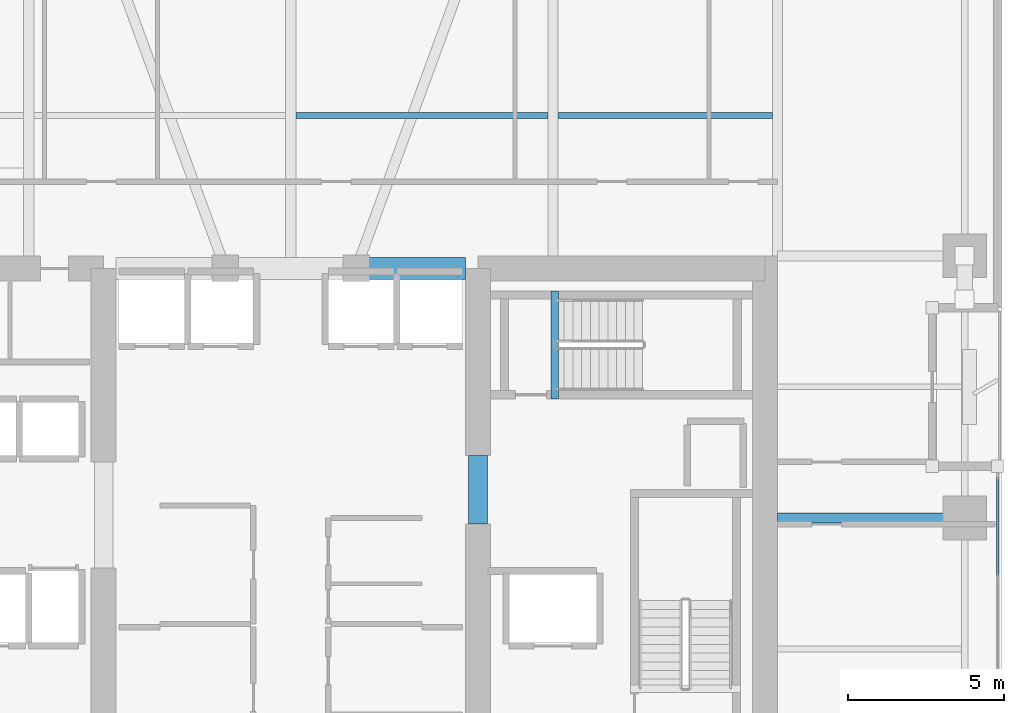
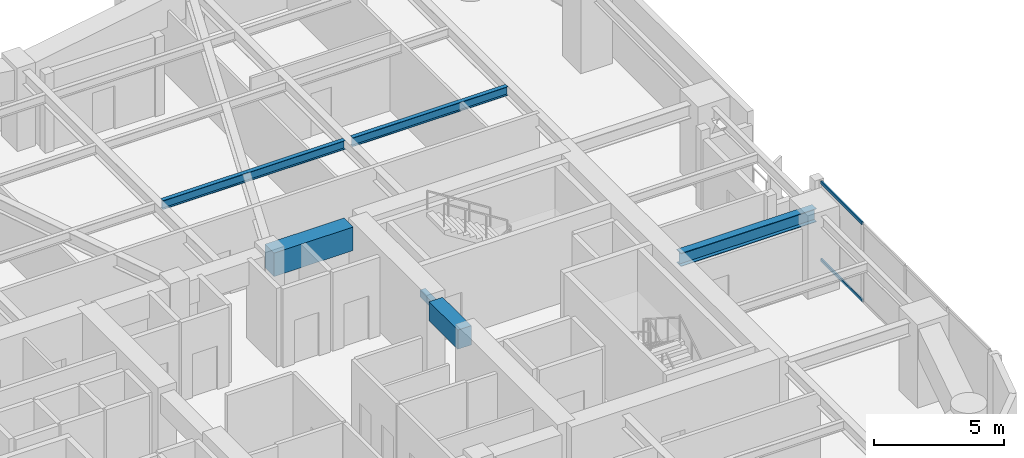
# One storey, part 10 of 31: 6 beams, 2 members, 1 element without a shape of its own.
"""IFC4 building model written with IfcOpenShell, lengths in metres."""

from ifc_helpers import new_model, si_unit, direction, frame, origin, origin_2d, place, context, subcontext, project, spatial, rectangle, hollow_rectangle, i_section, extrude, material, layer, layer_set, material_profile, profile_set, type_object, element, aggregate, save


model = new_model("IFC4")

# Units and contexts
model_context = context("Model", 3, precision=1e-05, world=origin(), true_north=direction((0.0, 1.0)))
body_context = subcontext(model_context, "Body", "Model", "MODEL_VIEW")
ifc_project = project(units=[si_unit("LENGTHUNIT", "METRE"), si_unit("AREAUNIT", "SQUARE_METRE"), si_unit("VOLUMEUNIT", "CUBIC_METRE"), si_unit("PLANEANGLEUNIT", "RADIAN"), si_unit("MASSUNIT", "GRAM", prefix="KILO")], contexts=[model_context])

# Site, building, storey
site_placement = place(None, origin())
site = spatial("IfcSite", under=ifc_project, at=site_placement, CompositionType="ELEMENT")
building_placement = place(site_placement, origin())
building = spatial("IfcBuilding", under=site, at=building_placement, Name="Kiyonajd Concourse Tower", CompositionType="ELEMENT")
storey_placement = place(building_placement, frame((0.0, 0.0, 158.39990234375)))
storey = spatial("IfcBuildingStorey", under=building, at=storey_placement, Name="L40", CompositionType="ELEMENT", Elevation=158.39990234375)

# Beams
ifc_material_1 = material(Name="Concrete C70/85", Category="concrete")
ifc_material_profile_1 = material_profile(ifc_material_1, rectangle(XDim=0.699951171875, YDim=1.10009765625, at=origin_2d()), Name="RCBM-700x1100")
ifc_profile_set_1 = profile_set([ifc_material_profile_1], Name="Concrete C70/85")
beam_type_1 = type_object("IfcBeamType", Name="BM-COUP-1100", PredefinedType="LINTEL", material=ifc_profile_set_1)
beam_1_placement = place(storey_placement, frame((50.10009765625, 44.0, 3.130126953125), z_axis=(1.0, 0.0, 0.0), x_axis=(0.0, 1.0, 0.0)))
element("IfcBeam", 1, at=beam_1_placement, inside=storey, type_object=beam_type_1, Name="L40 Core Coupling Beam N3", PredefinedType="LINTEL", context=body_context, shape_type="SweptSolid", body=[
    extrude(rectangle(XDim=0.699951171875, YDim=1.10009765625, at=origin_2d()), origin(), (0.0, 0.0, 1.0), 3.5),
])
ifc_material_2 = material(Name="Concrete C60/75", Category="concrete")
ifc_material_profile_2 = material_profile(ifc_material_2, rectangle(XDim=0.60009765625, YDim=0.89990234375, at=origin_2d()), Name="RCBM-600x900")
ifc_profile_set_2 = profile_set([ifc_material_profile_2], Name="Concrete C60/75")
beam_type_2 = type_object("IfcBeamType", Name="BM-COUP-900", PredefinedType="LINTEL", material=ifc_profile_set_2)
beam_2_placement = place(storey_placement, frame((54.0, 35.800048828125, 3.130126953125), z_axis=(0.0, 1.0, 0.0), x_axis=(-1.0, 0.0, 0.0)))
element("IfcBeam", 2, at=beam_2_placement, inside=storey, type_object=beam_type_2, Name="L40 East Core Throat Coupling Lintel", PredefinedType="LINTEL", context=body_context, shape_type="SweptSolid", body=[
    extrude(rectangle(XDim=0.60009765625, YDim=0.89990234375, at=origin_2d()), origin(), (0.0, 0.0, 1.0), 2.199951171875),
])
ifc_material_3 = material(Name="Steel ASTM A992 Grade 50", Category="steel")
ifc_material_profile_3 = material_profile(ifc_material_3, i_section(OverallWidth=0.180908203125, OverallDepth=0.4169921875, WebThickness=0.010986328125, FlangeThickness=0.018310546875, at=origin_2d()), Name="W410X85")
ifc_profile_set_3 = profile_set([ifc_material_profile_3], Name="Steel ASTM A992 Grade 50")
beam_type_3 = type_object("IfcBeamType", Name="BM-JST-410", PredefinedType="JOIST", material=ifc_profile_set_3)
beam_3_placement = place(storey_placement, frame((48.16357421875, 48.89990234375, 3.4716796875), z_axis=(1.0, 0.0, 0.0), x_axis=(0.0, 1.0, 0.0)))
element("IfcBeam", 3, at=beam_3_placement, inside=storey, type_object=beam_type_3, Name="L40 Secondary Floor Joist", PredefinedType="JOIST", context=body_context, shape_type="SweptSolid", body=[
    extrude(i_section(OverallWidth=0.180908203125, OverallDepth=0.4169921875, WebThickness=0.010986328125, FlangeThickness=0.018310546875, at=origin_2d()), origin(), (0.0, 0.0, 1.0), 8.072998046875),
])
beam_4_placement = place(storey_placement, frame((56.5634765625, 48.89990234375, 3.4716796875), z_axis=(1.0, 0.0, 0.0), x_axis=(0.0, 1.0, 0.0)))
element("IfcBeam", 4, at=beam_4_placement, inside=storey, type_object=beam_type_3, Name="L40 Secondary Floor Joist", PredefinedType="JOIST", context=body_context, shape_type="SweptSolid", body=[
    extrude(i_section(OverallWidth=0.180908203125, OverallDepth=0.4169921875, WebThickness=0.010986328125, FlangeThickness=0.018310546875, at=origin_2d()), origin(), (0.0, 0.0, 1.0), 6.873046875),
])
ifc_material_4 = material(Name="Concrete C50/60", Category="concrete")
ifc_material_profile_4 = material_profile(ifc_material_4, rectangle(XDim=0.239990234375, YDim=0.320068359375, at=origin_2d()), Name="RCBM-240x320")
ifc_profile_set_4 = profile_set([ifc_material_profile_4], Name="Concrete C50/60")
beam_type_4 = type_object("IfcBeamType", Name="BM-LNT-250", PredefinedType="LINTEL", material=ifc_profile_set_4)
beam_5_placement = place(storey_placement, frame((56.4599609375, 39.820068359375, -0.159912109375), z_axis=(0.0, 1.0, 0.0), x_axis=(-1.0, 0.0, 0.0)))
element("IfcBeam", 5, at=beam_5_placement, inside=storey, type_object=beam_type_4, Name="L40 Stair ST3 Threshold Support Beam", PredefinedType="LINTEL", context=body_context, shape_type="SweptSolid", body=[
    extrude(rectangle(XDim=0.239990234375, YDim=0.320068359375, at=origin_2d()), origin(), (0.0, 0.0, 1.0), 3.4599609375),
])
ifc_material_profile_5 = material_profile(ifc_material_3, i_section(OverallWidth=0.326904296875, OverallDepth=0.6220703125, WebThickness=0.015380859375, FlangeThickness=0.0244140625, at=origin_2d()), Name="W610X195")
ifc_profile_set_5 = profile_set([ifc_material_profile_5], Name="Steel ASTM A992 Grade 50")
beam_type_5 = type_object("IfcBeamType", Name="BM-TWR-610A", PredefinedType="BEAM", material=ifc_profile_set_5)
beam_6_placement = place(storey_placement, frame((63.60009765625, 36.0, 3.369140625), z_axis=(1.0, 0.0, 0.0), x_axis=(0.0, 1.0, 0.0)))
element("IfcBeam", 6, at=beam_6_placement, inside=storey, type_object=beam_type_5, Name="L40 East Lease Girder", PredefinedType="BEAM", context=body_context, shape_type="SweptSolid", body=[
    extrude(i_section(OverallWidth=0.326904296875, OverallDepth=0.6220703125, WebThickness=0.015380859375, FlangeThickness=0.0244140625, at=origin_2d()), origin(), (0.0, 0.0, 1.0), 6.0),
])

# Curtain wall, members
ifc_material_5 = material(Name="Thermally Broken Anodised Aluminium", Category="aluminium")
ifc_layer = layer(ifc_material_5, 0.179931640625)
ifc_layer_set = layer_set([ifc_layer], Name="Thermally Broken Anodised Aluminium")
curtain_wall_type = type_object("IfcCurtainWallType", Name="CW-SYS-03", PredefinedType="NOTDEFINED", material=ifc_layer_set)
curtain_wall_placement = place(storey_placement, origin())
curtain_wall = element("IfcCurtainWall", 7, at=curtain_wall_placement, inside=storey, type_object=curtain_wall_type, Name="L40 Unitised Curtain Wall CW3", PredefinedType="NOTDEFINED")
ifc_material_profile_6 = material_profile(ifc_material_5, hollow_rectangle(XDim=0.06494140625, YDim=0.139892578125, WallThickness=0.00390625, at=origin_2d()), Name="TRAN-65x140")
ifc_profile_set_6 = profile_set([ifc_material_profile_6], Name="Thermally Broken Anodised Aluminium")
member_type = type_object("IfcMemberType", Name="MB-CW-TRAN1", PredefinedType="USERDEFINED", material=ifc_profile_set_6)
member_1_placement = place(storey_placement, frame((70.659912109375, 37.304931640625, 0.03271484375), z_axis=(0.0, -1.0, 0.0), x_axis=(1.0, 0.0, 0.0)))
member_1 = element("IfcMember", 8, at=member_1_placement, type_object=member_type, Name="CW3 transom 1.1", ObjectType="TRANSOM", PredefinedType="USERDEFINED", context=body_context, shape_type="SweptSolid", body=[
    extrude(hollow_rectangle(XDim=0.06494140625, YDim=0.139892578125, WallThickness=0.00390625, at=origin_2d()), origin(), (0.0, 0.0, 1.0), 3.167724609375),
])
member_2_placement = place(storey_placement, frame((70.659912109375, 37.304931640625, 3.647705078125), z_axis=(0.0, -1.0, 0.0), x_axis=(1.0, 0.0, 0.0)))
member_2 = element("IfcMember", 9, at=member_2_placement, type_object=member_type, Name="CW3 transom 1.2", ObjectType="TRANSOM", PredefinedType="USERDEFINED", context=body_context, shape_type="SweptSolid", body=[
    extrude(hollow_rectangle(XDim=0.06494140625, YDim=0.139892578125, WallThickness=0.00390625, at=origin_2d()), origin(), (0.0, 0.0, 1.0), 3.167724609375),
])
aggregate(curtain_wall, [member_1, member_2])

save(model, "model.ifc")
